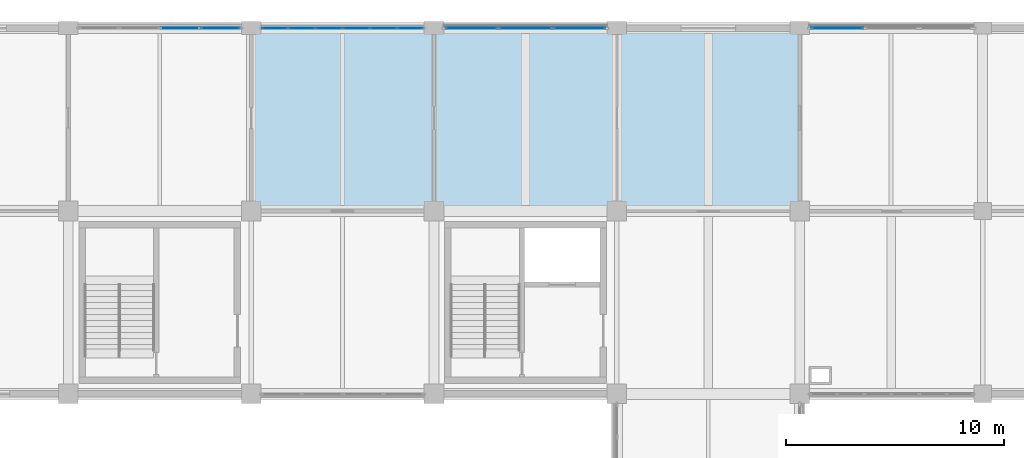
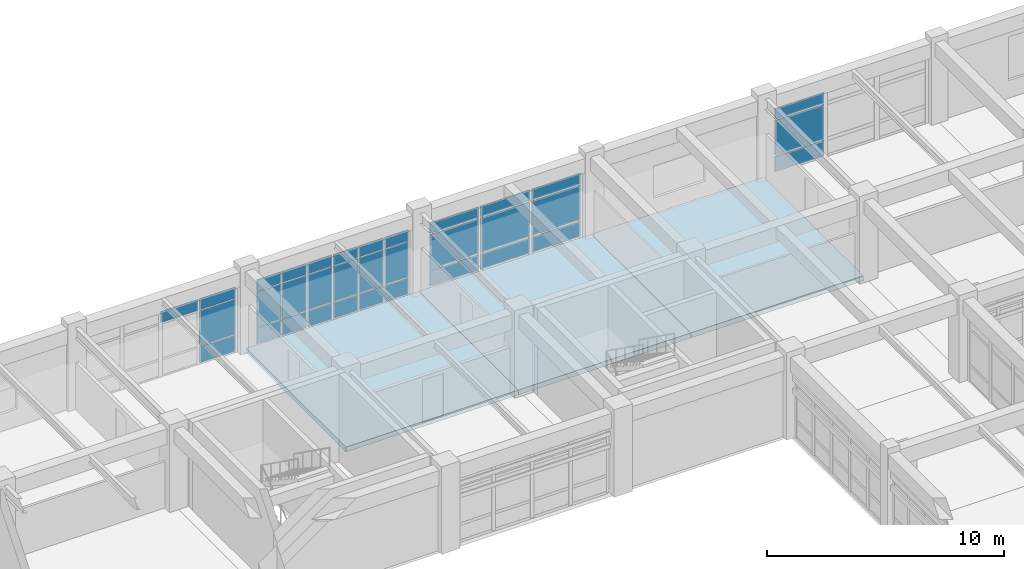
# One storey, part 72 of 99: 34 plates, 3 slabs, 4 elements without a shape of their own.
"""IFC4 building model written with IfcOpenShell, lengths in metres."""

from ifc_helpers import new_model, si_unit, direction, frame, origin, origin_2d, place, context, subcontext, project, spatial, polyline, rectangle, outline, extrude, material, layer, layer_set, type_object, element, aggregate, save


model = new_model("IFC4")

# Units and contexts
model_context = context("Model", 3, precision=1e-05, world=origin(), true_north=direction((0.0, 1.0)))
body_context = subcontext(model_context, "Body", "Model", "MODEL_VIEW")
ifc_project = project(units=[si_unit("LENGTHUNIT", "METRE"), si_unit("AREAUNIT", "SQUARE_METRE"), si_unit("VOLUMEUNIT", "CUBIC_METRE"), si_unit("PLANEANGLEUNIT", "RADIAN"), si_unit("MASSUNIT", "GRAM", prefix="KILO")], contexts=[model_context])

# Site, building, storey
site_placement = place(None, origin())
site = spatial("IfcSite", under=ifc_project, at=site_placement, CompositionType="ELEMENT")
building_placement = place(site_placement, origin())
building = spatial("IfcBuilding", under=site, at=building_placement, Name="Porcellanite Civic Hall", CompositionType="ELEMENT")
storey_placement = place(building_placement, frame((0.0, 0.0, 5.760009765625)))
storey = spatial("IfcBuildingStorey", under=building, at=storey_placement, Name="L01", CompositionType="ELEMENT", Elevation=5.760009765625)

# Curtain wall, plates
ifc_material_1 = material(Name="Anodised aluminium and solar laminated glass", Category="aluminium")
ifc_layer_1 = layer(ifc_material_1, 0.179931640625)
ifc_layer_set_1 = layer_set([ifc_layer_1], Name="Anodised aluminium and solar laminated glass")
curtain_wall_type_1 = type_object("IfcCurtainWallType", Name="CW-SYS07", PredefinedType="NOTDEFINED", material=ifc_layer_set_1)
curtain_wall_1_placement = place(storey_placement, origin())
curtain_wall_1 = element("IfcCurtainWall", 1, at=curtain_wall_1_placement, inside=storey, type_object=curtain_wall_type_1, Name="Curtain wall CW-105", PredefinedType="NOTDEFINED")
ifc_material_2 = material(Name="Cyclone laminated solar-control low-E glass", Category="glass")
ifc_layer_2 = layer(ifc_material_2, 0.033935546875)
ifc_layer_set_2 = layer_set([ifc_layer_2], Name="Cyclone laminated solar-control low-E glass")
plate_type_1 = type_object("IfcPlateType", Name="CWP-06", PredefinedType="CURTAIN_PANEL", material=ifc_layer_set_2)
plate_1_placement = place(storey_placement, frame((101.890869140625, 117.60009765625, 0.0498046875), z_axis=(0.0, 0.0, 1.0), x_axis=(1.0, 0.0, 0.0)))
plate_1 = element("IfcPlate", 2, at=plate_1_placement, type_object=plate_type_1, Name="CW-105 panel 1.1", PredefinedType="CURTAIN_PANEL", context=body_context, shape_type="SweptSolid", body=[
    extrude(rectangle(XDim=1.15966796875, YDim=0.033935546875, at=origin_2d()), origin(), (0.0, 0.0, 1.0), 0.824951171875),
])
plate_2_placement = place(storey_placement, frame((101.890869140625, 117.60009765625, 0.9248046875), z_axis=(0.0, 0.0, 1.0), x_axis=(1.0, 0.0, 0.0)))
plate_2 = element("IfcPlate", 3, at=plate_2_placement, type_object=plate_type_1, Name="CW-105 panel 1.2", PredefinedType="CURTAIN_PANEL", context=body_context, shape_type="SweptSolid", body=[
    extrude(rectangle(XDim=1.15966796875, YDim=0.033935546875, at=origin_2d()), origin(), (0.0, 0.0, 1.0), 1.800048828125),
])
plate_3_placement = place(storey_placement, frame((101.890869140625, 117.60009765625, 2.77490234375), z_axis=(0.0, 0.0, 1.0), x_axis=(1.0, 0.0, 0.0)))
plate_3 = element("IfcPlate", 4, at=plate_3_placement, type_object=plate_type_1, Name="CW-105 panel 1.3", PredefinedType="CURTAIN_PANEL", context=body_context, shape_type="SweptSolid", body=[
    extrude(rectangle(XDim=1.15966796875, YDim=0.033935546875, at=origin_2d()), origin(), (0.0, 0.0, 1.0), 0.574951171875),
])
plate_4_placement = place(storey_placement, frame((103.12548828125, 117.60009765625, 0.0498046875), z_axis=(0.0, 0.0, 1.0), x_axis=(1.0, 0.0, 0.0)))
plate_4 = element("IfcPlate", 5, at=plate_4_placement, type_object=plate_type_1, Name="CW-105 panel 2.1", PredefinedType="CURTAIN_PANEL", context=body_context, shape_type="SweptSolid", body=[
    extrude(rectangle(XDim=1.189697265625, YDim=0.033935546875, at=origin_2d()), origin(), (0.0, 0.0, 1.0), 0.824951171875),
])
plate_5_placement = place(storey_placement, frame((103.12548828125, 117.60009765625, 0.9248046875), z_axis=(0.0, 0.0, 1.0), x_axis=(1.0, 0.0, 0.0)))
plate_5 = element("IfcPlate", 6, at=plate_5_placement, type_object=plate_type_1, Name="CW-105 panel 2.2", PredefinedType="CURTAIN_PANEL", context=body_context, shape_type="SweptSolid", body=[
    extrude(rectangle(XDim=1.189697265625, YDim=0.033935546875, at=origin_2d()), origin(), (0.0, 0.0, 1.0), 1.800048828125),
])
plate_6_placement = place(storey_placement, frame((103.12548828125, 117.60009765625, 2.77490234375), z_axis=(0.0, 0.0, 1.0), x_axis=(1.0, 0.0, 0.0)))
plate_6 = element("IfcPlate", 7, at=plate_6_placement, type_object=plate_type_1, Name="CW-105 panel 2.3", PredefinedType="CURTAIN_PANEL", context=body_context, shape_type="SweptSolid", body=[
    extrude(rectangle(XDim=1.189697265625, YDim=0.033935546875, at=origin_2d()), origin(), (0.0, 0.0, 1.0), 0.574951171875),
])
plate_7_placement = place(storey_placement, frame((104.375244140625, 117.60009765625, 0.0498046875), z_axis=(0.0, 0.0, 1.0), x_axis=(1.0, 0.0, 0.0)))
plate_7 = element("IfcPlate", 8, at=plate_7_placement, type_object=plate_type_1, Name="CW-105 panel 3.1", PredefinedType="CURTAIN_PANEL", context=body_context, shape_type="SweptSolid", body=[
    extrude(rectangle(XDim=1.189697265625, YDim=0.033935546875, at=origin_2d()), origin(), (0.0, 0.0, 1.0), 0.824951171875),
])
plate_8_placement = place(storey_placement, frame((104.375244140625, 117.60009765625, 0.9248046875), z_axis=(0.0, 0.0, 1.0), x_axis=(1.0, 0.0, 0.0)))
plate_8 = element("IfcPlate", 9, at=plate_8_placement, type_object=plate_type_1, Name="CW-105 panel 3.2", PredefinedType="CURTAIN_PANEL", context=body_context, shape_type="SweptSolid", body=[
    extrude(rectangle(XDim=1.189697265625, YDim=0.033935546875, at=origin_2d()), origin(), (0.0, 0.0, 1.0), 1.800048828125),
])
plate_9_placement = place(storey_placement, frame((104.375244140625, 117.60009765625, 2.77490234375), z_axis=(0.0, 0.0, 1.0), x_axis=(1.0, 0.0, 0.0)))
plate_9 = element("IfcPlate", 10, at=plate_9_placement, type_object=plate_type_1, Name="CW-105 panel 3.3", PredefinedType="CURTAIN_PANEL", context=body_context, shape_type="SweptSolid", body=[
    extrude(rectangle(XDim=1.189697265625, YDim=0.033935546875, at=origin_2d()), origin(), (0.0, 0.0, 1.0), 0.574951171875),
])
plate_10_placement = place(storey_placement, frame((105.624755859375, 117.60009765625, 0.0498046875), z_axis=(0.0, 0.0, 1.0), x_axis=(1.0, 0.0, 0.0)))
plate_10 = element("IfcPlate", 11, at=plate_10_placement, type_object=plate_type_1, Name="CW-105 panel 4.1", PredefinedType="CURTAIN_PANEL", context=body_context, shape_type="SweptSolid", body=[
    extrude(rectangle(XDim=1.189697265625, YDim=0.033935546875, at=origin_2d()), origin(), (0.0, 0.0, 1.0), 0.824951171875),
])
plate_11_placement = place(storey_placement, frame((105.624755859375, 117.60009765625, 0.9248046875), z_axis=(0.0, 0.0, 1.0), x_axis=(1.0, 0.0, 0.0)))
plate_11 = element("IfcPlate", 12, at=plate_11_placement, type_object=plate_type_1, Name="CW-105 panel 4.2", PredefinedType="CURTAIN_PANEL", context=body_context, shape_type="SweptSolid", body=[
    extrude(rectangle(XDim=1.189697265625, YDim=0.033935546875, at=origin_2d()), origin(), (0.0, 0.0, 1.0), 1.800048828125),
])
plate_12_placement = place(storey_placement, frame((105.624755859375, 117.60009765625, 2.77490234375), z_axis=(0.0, 0.0, 1.0), x_axis=(1.0, 0.0, 0.0)))
plate_12 = element("IfcPlate", 13, at=plate_12_placement, type_object=plate_type_1, Name="CW-105 panel 4.3", PredefinedType="CURTAIN_PANEL", context=body_context, shape_type="SweptSolid", body=[
    extrude(rectangle(XDim=1.189697265625, YDim=0.033935546875, at=origin_2d()), origin(), (0.0, 0.0, 1.0), 0.574951171875),
])
plate_13_placement = place(storey_placement, frame((106.87451171875, 117.60009765625, 0.0498046875), z_axis=(0.0, 0.0, 1.0), x_axis=(1.0, 0.0, 0.0)))
plate_13 = element("IfcPlate", 14, at=plate_13_placement, type_object=plate_type_1, Name="CW-105 panel 5.1", PredefinedType="CURTAIN_PANEL", context=body_context, shape_type="SweptSolid", body=[
    extrude(rectangle(XDim=1.189697265625, YDim=0.033935546875, at=origin_2d()), origin(), (0.0, 0.0, 1.0), 0.824951171875),
])
plate_14_placement = place(storey_placement, frame((106.87451171875, 117.60009765625, 0.9248046875), z_axis=(0.0, 0.0, 1.0), x_axis=(1.0, 0.0, 0.0)))
plate_14 = element("IfcPlate", 15, at=plate_14_placement, type_object=plate_type_1, Name="CW-105 panel 5.2", PredefinedType="CURTAIN_PANEL", context=body_context, shape_type="SweptSolid", body=[
    extrude(rectangle(XDim=1.189697265625, YDim=0.033935546875, at=origin_2d()), origin(), (0.0, 0.0, 1.0), 1.800048828125),
])
plate_15_placement = place(storey_placement, frame((106.87451171875, 117.60009765625, 2.77490234375), z_axis=(0.0, 0.0, 1.0), x_axis=(1.0, 0.0, 0.0)))
plate_15 = element("IfcPlate", 16, at=plate_15_placement, type_object=plate_type_1, Name="CW-105 panel 5.3", PredefinedType="CURTAIN_PANEL", context=body_context, shape_type="SweptSolid", body=[
    extrude(rectangle(XDim=1.189697265625, YDim=0.033935546875, at=origin_2d()), origin(), (0.0, 0.0, 1.0), 0.574951171875),
])
plate_16_placement = place(storey_placement, frame((108.109130859375, 117.60009765625, 0.0498046875), z_axis=(0.0, 0.0, 1.0), x_axis=(1.0, 0.0, 0.0)))
plate_16 = element("IfcPlate", 17, at=plate_16_placement, type_object=plate_type_1, Name="CW-105 panel 6.1", PredefinedType="CURTAIN_PANEL", context=body_context, shape_type="SweptSolid", body=[
    extrude(rectangle(XDim=1.15966796875, YDim=0.033935546875, at=origin_2d()), origin(), (0.0, 0.0, 1.0), 0.824951171875),
])
plate_17_placement = place(storey_placement, frame((108.109130859375, 117.60009765625, 0.9248046875), z_axis=(0.0, 0.0, 1.0), x_axis=(1.0, 0.0, 0.0)))
plate_17 = element("IfcPlate", 18, at=plate_17_placement, type_object=plate_type_1, Name="CW-105 panel 6.2", PredefinedType="CURTAIN_PANEL", context=body_context, shape_type="SweptSolid", body=[
    extrude(rectangle(XDim=1.15966796875, YDim=0.033935546875, at=origin_2d()), origin(), (0.0, 0.0, 1.0), 1.800048828125),
])
plate_18_placement = place(storey_placement, frame((108.109130859375, 117.60009765625, 2.77490234375), z_axis=(0.0, 0.0, 1.0), x_axis=(1.0, 0.0, 0.0)))
plate_18 = element("IfcPlate", 19, at=plate_18_placement, type_object=plate_type_1, Name="CW-105 panel 6.3", PredefinedType="CURTAIN_PANEL", context=body_context, shape_type="SweptSolid", body=[
    extrude(rectangle(XDim=1.15966796875, YDim=0.033935546875, at=origin_2d()), origin(), (0.0, 0.0, 1.0), 0.574951171875),
])
aggregate(curtain_wall_1, [plate_1, plate_2, plate_3, plate_4, plate_5, plate_6, plate_7, plate_8, plate_9, plate_10, plate_11, plate_12, plate_13, plate_14, plate_15, plate_16, plate_17, plate_18])

ifc_material_3 = material(Name="Anodised aluminium and solar laminated glass", Category="aluminium")
ifc_layer_3 = layer(ifc_material_3, 0.179931640625)
ifc_layer_set_3 = layer_set([ifc_layer_3], Name="Anodised aluminium and solar laminated glass")
curtain_wall_type_2 = type_object("IfcCurtainWallType", Name="CW-SYS08", PredefinedType="NOTDEFINED", material=ifc_layer_set_3)
curtain_wall_2_placement = place(storey_placement, origin())
curtain_wall_2 = element("IfcCurtainWall", 20, at=curtain_wall_2_placement, inside=storey, type_object=curtain_wall_type_2, Name="Curtain wall CW-106", PredefinedType="NOTDEFINED")
ifc_material_4 = material(Name="Cyclone laminated solar-control low-E glass", Category="glass")
ifc_layer_4 = layer(ifc_material_4, 0.035888671875)
ifc_layer_set_4 = layer_set([ifc_layer_4], Name="Cyclone laminated solar-control low-E glass")
plate_type_2 = type_object("IfcPlateType", Name="CWP-07", PredefinedType="CURTAIN_PANEL", material=ifc_layer_set_4)
plate_19_placement = place(storey_placement, frame((110.920654296875, 117.60009765625, 0.070068359375), z_axis=(0.0, 0.0, 1.0), x_axis=(1.0, 0.0, 0.0)))
plate_19 = element("IfcPlate", 21, at=plate_19_placement, type_object=plate_type_2, Name="CW-106 panel 1.1", PredefinedType="CURTAIN_PANEL", context=body_context, shape_type="SweptSolid", body=[
    extrude(rectangle(XDim=2.37939453125, YDim=0.035888671875, at=origin_2d()), origin(), (0.0, 0.0, 1.0), 0.794921875),
])
plate_20_placement = place(storey_placement, frame((110.920654296875, 117.60009765625, 0.93505859375), z_axis=(0.0, 0.0, 1.0), x_axis=(1.0, 0.0, 0.0)))
plate_20 = element("IfcPlate", 22, at=plate_20_placement, type_object=plate_type_2, Name="CW-106 panel 1.2", PredefinedType="CURTAIN_PANEL", context=body_context, shape_type="SweptSolid", body=[
    extrude(rectangle(XDim=2.37939453125, YDim=0.035888671875, at=origin_2d()), origin(), (0.0, 0.0, 1.0), 1.780029296875),
])
plate_21_placement = place(storey_placement, frame((110.920654296875, 117.60009765625, 2.784912109375), z_axis=(0.0, 0.0, 1.0), x_axis=(1.0, 0.0, 0.0)))
plate_21 = element("IfcPlate", 23, at=plate_21_placement, type_object=plate_type_2, Name="CW-106 panel 1.3", PredefinedType="CURTAIN_PANEL", context=body_context, shape_type="SweptSolid", body=[
    extrude(rectangle(XDim=2.37939453125, YDim=0.035888671875, at=origin_2d()), origin(), (0.0, 0.0, 1.0), 0.544921875),
])
plate_22_placement = place(storey_placement, frame((113.39990234375, 117.60009765625, 0.070068359375), z_axis=(0.0, 0.0, 1.0), x_axis=(1.0, 0.0, 0.0)))
plate_22 = element("IfcPlate", 24, at=plate_22_placement, type_object=plate_type_2, Name="CW-106 panel 2.1", PredefinedType="CURTAIN_PANEL", context=body_context, shape_type="SweptSolid", body=[
    extrude(rectangle(XDim=2.41943359375, YDim=0.035888671875, at=origin_2d()), origin(), (0.0, 0.0, 1.0), 0.794921875),
])
plate_23_placement = place(storey_placement, frame((113.39990234375, 117.60009765625, 0.93505859375), z_axis=(0.0, 0.0, 1.0), x_axis=(1.0, 0.0, 0.0)))
plate_23 = element("IfcPlate", 25, at=plate_23_placement, type_object=plate_type_2, Name="CW-106 panel 2.2", PredefinedType="CURTAIN_PANEL", context=body_context, shape_type="SweptSolid", body=[
    extrude(rectangle(XDim=2.41943359375, YDim=0.035888671875, at=origin_2d()), origin(), (0.0, 0.0, 1.0), 1.780029296875),
])
plate_24_placement = place(storey_placement, frame((113.39990234375, 117.60009765625, 2.784912109375), z_axis=(0.0, 0.0, 1.0), x_axis=(1.0, 0.0, 0.0)))
plate_24 = element("IfcPlate", 26, at=plate_24_placement, type_object=plate_type_2, Name="CW-106 panel 2.3", PredefinedType="CURTAIN_PANEL", context=body_context, shape_type="SweptSolid", body=[
    extrude(rectangle(XDim=2.41943359375, YDim=0.035888671875, at=origin_2d()), origin(), (0.0, 0.0, 1.0), 0.544921875),
])
plate_25_placement = place(storey_placement, frame((115.87939453125, 117.60009765625, 0.070068359375), z_axis=(0.0, 0.0, 1.0), x_axis=(1.0, 0.0, 0.0)))
plate_25 = element("IfcPlate", 27, at=plate_25_placement, type_object=plate_type_2, Name="CW-106 panel 3.1", PredefinedType="CURTAIN_PANEL", context=body_context, shape_type="SweptSolid", body=[
    extrude(rectangle(XDim=2.37939453125, YDim=0.035888671875, at=origin_2d()), origin(), (0.0, 0.0, 1.0), 0.794921875),
])
plate_26_placement = place(storey_placement, frame((115.87939453125, 117.60009765625, 0.93505859375), z_axis=(0.0, 0.0, 1.0), x_axis=(1.0, 0.0, 0.0)))
plate_26 = element("IfcPlate", 28, at=plate_26_placement, type_object=plate_type_2, Name="CW-106 panel 3.2", PredefinedType="CURTAIN_PANEL", context=body_context, shape_type="SweptSolid", body=[
    extrude(rectangle(XDim=2.37939453125, YDim=0.035888671875, at=origin_2d()), origin(), (0.0, 0.0, 1.0), 1.780029296875),
])
plate_27_placement = place(storey_placement, frame((115.87939453125, 117.60009765625, 2.784912109375), z_axis=(0.0, 0.0, 1.0), x_axis=(1.0, 0.0, 0.0)))
plate_27 = element("IfcPlate", 29, at=plate_27_placement, type_object=plate_type_2, Name="CW-106 panel 3.3", PredefinedType="CURTAIN_PANEL", context=body_context, shape_type="SweptSolid", body=[
    extrude(rectangle(XDim=2.37939453125, YDim=0.035888671875, at=origin_2d()), origin(), (0.0, 0.0, 1.0), 0.544921875),
])
aggregate(curtain_wall_2, [plate_19, plate_20, plate_21, plate_22, plate_23, plate_24, plate_25, plate_26, plate_27])

ifc_material_5 = material(Name="Anodised aluminium and solar laminated glass", Category="aluminium")
ifc_layer_5 = layer(ifc_material_5, 0.179931640625)
ifc_layer_set_5 = layer_set([ifc_layer_5], Name="Anodised aluminium and solar laminated glass")
curtain_wall_type_3 = type_object("IfcCurtainWallType", Name="CW-SYS04", PredefinedType="NOTDEFINED", material=ifc_layer_set_5)
curtain_wall_3_placement = place(storey_placement, origin())
curtain_wall_3 = element("IfcCurtainWall", 30, at=curtain_wall_3_placement, inside=storey, type_object=curtain_wall_type_3, Name="Curtain wall CW-097", PredefinedType="NOTDEFINED")
ifc_material_6 = material(Name="Insulated ochre aluminium spandrel panel", Category="aluminium")
ifc_layer_6 = layer(ifc_material_6, 0.0380859375)
ifc_layer_set_6 = layer_set([ifc_layer_6], Name="Insulated ochre aluminium spandrel panel")
plate_type_3 = type_object("IfcPlateType", Name="CWP-08", PredefinedType="CURTAIN_PANEL", material=ifc_layer_set_6)
plate_28_placement = place(storey_placement, frame((97.537353515625, 117.60009765625, 2.777587890625), z_axis=(0.0, 0.0, 1.0), x_axis=(1.0, 0.0, 0.0)))
plate_28 = element("IfcPlate", 31, at=plate_28_placement, type_object=plate_type_3, Name="CW-097 panel 3.3", PredefinedType="CURTAIN_PANEL", context=body_context, shape_type="SweptSolid", body=[
    extrude(rectangle(XDim=1.799560546875, YDim=0.0380859375, at=origin_2d()), origin(), (0.0, 0.0, 1.0), 0.5673828125),
])
plate_29_placement = place(storey_placement, frame((99.39306640625, 117.60009765625, 0.054931640625), z_axis=(0.0, 0.0, 1.0), x_axis=(1.0, 0.0, 0.0)))
plate_29 = element("IfcPlate", 32, at=plate_29_placement, type_object=plate_type_3, Name="CW-097 panel 4.1", PredefinedType="CURTAIN_PANEL", context=body_context, shape_type="SweptSolid", body=[
    extrude(rectangle(XDim=1.761962890625, YDim=0.0380859375, at=origin_2d()), origin(), (0.0, 0.0, 1.0), 0.8173828125),
])
plate_30_placement = place(storey_placement, frame((99.39306640625, 117.60009765625, 0.927490234375), z_axis=(0.0, 0.0, 1.0), x_axis=(1.0, 0.0, 0.0)))
plate_30 = element("IfcPlate", 33, at=plate_30_placement, type_object=plate_type_3, Name="CW-097 panel 4.2", PredefinedType="CURTAIN_PANEL", context=body_context, shape_type="SweptSolid", body=[
    extrude(rectangle(XDim=1.761962890625, YDim=0.0380859375, at=origin_2d()), origin(), (0.0, 0.0, 1.0), 1.794921875),
])
plate_31_placement = place(storey_placement, frame((99.39306640625, 117.60009765625, 2.777587890625), z_axis=(0.0, 0.0, 1.0), x_axis=(1.0, 0.0, 0.0)))
plate_31 = element("IfcPlate", 34, at=plate_31_placement, type_object=plate_type_3, Name="CW-097 panel 4.3", PredefinedType="CURTAIN_PANEL", context=body_context, shape_type="SweptSolid", body=[
    extrude(rectangle(XDim=1.761962890625, YDim=0.0380859375, at=origin_2d()), origin(), (0.0, 0.0, 1.0), 0.5673828125),
])
aggregate(curtain_wall_3, [plate_28, plate_29, plate_30, plate_31])

curtain_wall_4_placement = place(storey_placement, origin())
curtain_wall_4 = element("IfcCurtainWall", 35, at=curtain_wall_4_placement, inside=storey, type_object=curtain_wall_type_2, Name="Curtain wall CW-118", PredefinedType="NOTDEFINED")
ifc_material_7 = material(Name="Insulated ochre aluminium spandrel panel", Category="aluminium")
ifc_layer_7 = layer(ifc_material_7, 0.0419921875)
ifc_layer_set_7 = layer_set([ifc_layer_7], Name="Insulated ochre aluminium spandrel panel")
plate_type_4 = type_object("IfcPlateType", Name="CWP-09", PredefinedType="CURTAIN_PANEL", material=ifc_layer_set_7)
plate_32_placement = place(storey_placement, frame((127.72900390625, 117.60009765625, 0.070068359375), z_axis=(0.0, 0.0, 1.0), x_axis=(1.0, 0.0, 0.0)))
plate_32 = element("IfcPlate", 36, at=plate_32_placement, type_object=plate_type_4, Name="CW-118 panel 1.1", PredefinedType="CURTAIN_PANEL", context=body_context, shape_type="SweptSolid", body=[
    extrude(rectangle(XDim=2.39599609375, YDim=0.0419921875, at=origin_2d()), origin(), (0.0, 0.0, 1.0), 0.794921875),
])
plate_33_placement = place(storey_placement, frame((127.72900390625, 117.60009765625, 0.93505859375), z_axis=(0.0, 0.0, 1.0), x_axis=(1.0, 0.0, 0.0)))
plate_33 = element("IfcPlate", 37, at=plate_33_placement, type_object=plate_type_4, Name="CW-118 panel 1.2", PredefinedType="CURTAIN_PANEL", context=body_context, shape_type="SweptSolid", body=[
    extrude(rectangle(XDim=2.39599609375, YDim=0.0419921875, at=origin_2d()), origin(), (0.0, 0.0, 1.0), 1.780029296875),
])
plate_34_placement = place(storey_placement, frame((127.72900390625, 117.60009765625, 2.784912109375), z_axis=(0.0, 0.0, 1.0), x_axis=(1.0, 0.0, 0.0)))
plate_34 = element("IfcPlate", 38, at=plate_34_placement, type_object=plate_type_4, Name="CW-118 panel 1.3", PredefinedType="CURTAIN_PANEL", context=body_context, shape_type="SweptSolid", body=[
    extrude(rectangle(XDim=2.39599609375, YDim=0.0419921875, at=origin_2d()), origin(), (0.0, 0.0, 1.0), 0.544921875),
])
aggregate(curtain_wall_4, [plate_32, plate_33, plate_34])

# Slabs
ifc_material_8 = material(Name="Concrete N40 (40 MPa)", Category="concrete")
ifc_layer_8 = layer(ifc_material_8, 0.25)
ifc_layer_set_8 = layer_set([ifc_layer_8], Name="Concrete N40 (40 MPa)")
slab_type_1 = type_object("IfcSlabType", Name="SL-FL250", PredefinedType="FLOOR", material=ifc_layer_set_8)
slab_1_placement = place(storey_placement, frame((0.0, 0.0, -0.25)))
element("IfcSlab", 39, at=slab_1_placement, inside=storey, type_object=slab_type_1, Name="Slab L01 bay 13-14", PredefinedType="FLOOR", context=body_context, shape_type="SweptSolid", body=[
    extrude(outline(polyline([(100.800048828125, 109.199951171875), (109.199951171875, 109.199951171875), (109.199951171875, 117.60009765625), (100.800048828125, 117.60009765625), (100.800048828125, 109.199951171875)])), origin(), (0.0, 0.0, 1.0), 0.25),
])
slab_2_placement = place(storey_placement, frame((0.0, 0.0, -0.25)))
element("IfcSlab", 40, at=slab_2_placement, inside=storey, type_object=slab_type_1, Name="Slab L01 bay 14-14", PredefinedType="FLOOR", context=body_context, shape_type="SweptSolid", body=[
    extrude(outline(polyline([(109.199951171875, 109.199951171875), (117.60009765625, 109.199951171875), (117.60009765625, 117.60009765625), (109.199951171875, 117.60009765625), (109.199951171875, 109.199951171875)])), origin(), (0.0, 0.0, 1.0), 0.25),
])
ifc_material_9 = material(Name="Concrete N40 (40 MPa)", Category="concrete")
ifc_layer_9 = layer(ifc_material_9, 0.260009765625)
ifc_layer_set_9 = layer_set([ifc_layer_9], Name="Concrete N40 (40 MPa)")
slab_type_2 = type_object("IfcSlabType", Name="SL-FL260", PredefinedType="FLOOR", material=ifc_layer_set_9)
slab_3_placement = place(storey_placement, frame((0.0, 0.0, -0.260009765625)))
element("IfcSlab", 41, at=slab_3_placement, inside=storey, type_object=slab_type_2, Name="Slab L01 bay 15-14", PredefinedType="FLOOR", context=body_context, shape_type="SweptSolid", body=[
    extrude(outline(polyline([(117.60009765625, 109.199951171875), (126.0, 109.199951171875), (126.0, 117.60009765625), (117.60009765625, 117.60009765625), (117.60009765625, 109.199951171875)])), origin(), (0.0, 0.0, 1.0), 0.260009765625),
])

save(model, "model.ifc")
